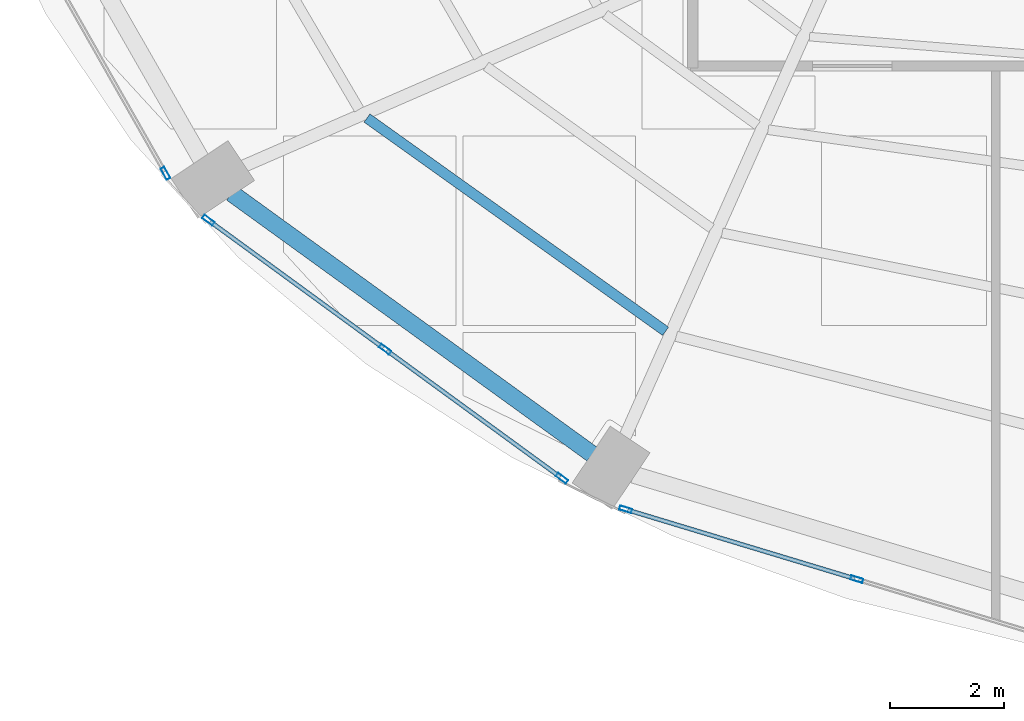
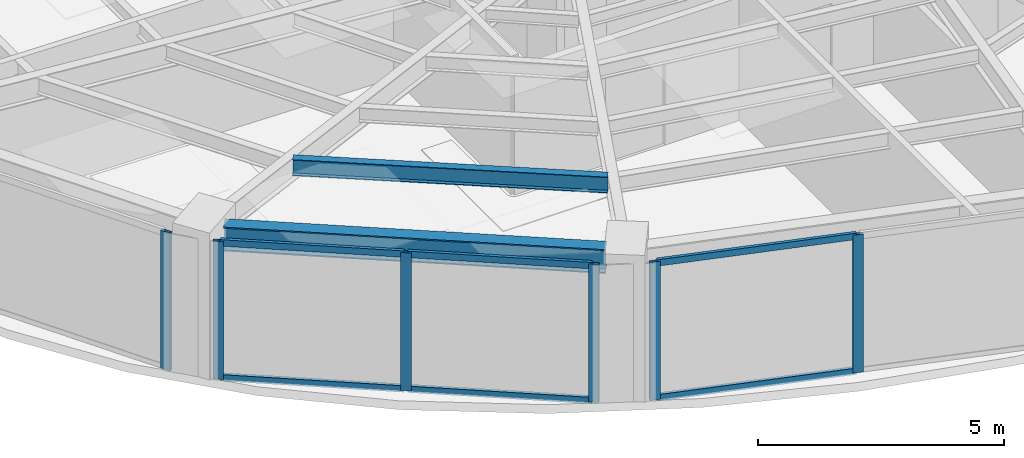
# One storey, part 2 of 24: 12 members, 2 beams, 3 elements without a shape of their own.
"""IFC4 building model written with IfcOpenShell, lengths in metres."""

from ifc_helpers import new_model, si_unit, direction, frame, origin, origin_2d, place, context, subcontext, project, spatial, hollow_rectangle, i_section, extrude, material, layer, layer_set, material_profile, profile_set, type_object, element, aggregate, save


model = new_model("IFC4")

# Units and contexts
model_context = context("Model", 3, precision=1e-05, world=origin(), true_north=direction((0.0, 1.0)))
body_context = subcontext(model_context, "Body", "Model", "MODEL_VIEW")
ifc_project = project(units=[si_unit("LENGTHUNIT", "METRE"), si_unit("AREAUNIT", "SQUARE_METRE"), si_unit("VOLUMEUNIT", "CUBIC_METRE"), si_unit("PLANEANGLEUNIT", "RADIAN"), si_unit("MASSUNIT", "GRAM", prefix="KILO")], contexts=[model_context])

# Site, building, storey
site_placement = place(None, origin())
site = spatial("IfcSite", under=ifc_project, at=site_placement, CompositionType="ELEMENT")
building_placement = place(site_placement, origin())
building = spatial("IfcBuilding", under=site, at=building_placement, Name="Lazwardi Medical Tower", CompositionType="ELEMENT")
storey_placement = place(building_placement, frame((0.0, 0.0, 118.22412109375)))
storey = spatial("IfcBuildingStorey", under=building, at=storey_placement, Name="L30", CompositionType="ELEMENT", Elevation=118.22412109375)

# Beams
ifc_material_1 = material(Name="Steel S355", Category="steel")
ifc_material_profile_1 = material_profile(ifc_material_1, i_section(OverallWidth=0.300048828125, OverallDepth=0.60009765625, WebThickness=0.015380859375, FlangeThickness=0.030029296875, at=origin_2d()), Name="HEB 600")
ifc_profile_set_1 = profile_set([ifc_material_profile_1], Name="Steel S355")
beam_type_1 = type_object("IfcBeamType", Name="BM-RB-Z2", PredefinedType="BEAM", material=ifc_profile_set_1)
beam_1_placement = place(storey_placement, frame((15.25439453125, 15.164794921875, 3.1279296875), z_axis=(0.81005674773, -0.586351486275, 0.0), x_axis=(0.586351486275, 0.81005674773, 0.0)))
element("IfcBeam", 1, at=beam_1_placement, inside=storey, type_object=beam_type_1, Name="Ring beam RB-03 B14 L30", PredefinedType="BEAM", context=body_context, shape_type="SweptSolid", body=[
    extrude(i_section(OverallWidth=0.300048828125, OverallDepth=0.60009765625, WebThickness=0.015380859375, FlangeThickness=0.030029296875, at=origin_2d()), origin(), (0.0, 0.0, 1.0), 7.81396484375),
])
ifc_material_profile_2 = material_profile(ifc_material_1, i_section(OverallWidth=0.179931640625, OverallDepth=0.39990234375, WebThickness=0.008544921875, FlangeThickness=0.013427734375, at=origin_2d()), Name="IPE 400")
ifc_profile_set_2 = profile_set([ifc_material_profile_2], Name="Steel S355")
beam_type_2 = type_object("IfcBeamType", Name="BM-SJ-01", PredefinedType="JOIST", material=ifc_profile_set_2)
beam_2_placement = place(storey_placement, frame((17.630615234375, 16.485595703125, 3.227783203125), z_axis=(0.813748834317, -0.581216684763, 0.0), x_axis=(0.581216684763, 0.813748834317, 0.0)))
element("IfcBeam", 2, at=beam_2_placement, inside=storey, type_object=beam_type_2, Name="Secondary joist SJ-01 R1 B14 L30", PredefinedType="JOIST", context=body_context, shape_type="SweptSolid", body=[
    extrude(i_section(OverallWidth=0.179931640625, OverallDepth=0.39990234375, WebThickness=0.008544921875, FlangeThickness=0.013427734375, at=origin_2d()), origin(), (0.0, 0.0, 1.0), 6.4423828125),
])

# Curtain wall, member
ifc_material_2 = material(Name="Anodised bronze aluminium and solar control glazing", Category="aluminium")
ifc_layer = layer(ifc_material_2, 0.195068359375)
ifc_layer_set = layer_set([ifc_layer], Name="Anodised bronze aluminium and solar control glazing")
curtain_wall_type = type_object("IfcCurtainWallType", Name="CW-SYS-03", PredefinedType="NOTDEFINED", material=ifc_layer_set)
curtain_wall_1_placement = place(storey_placement, origin())
curtain_wall_1 = element("IfcCurtainWall", 3, at=curtain_wall_1_placement, inside=storey, type_object=curtain_wall_type, Name="L30 Unitised bronze curtain wall CW-03", PredefinedType="NOTDEFINED")
ifc_material_3 = material(Name="Anodised bronze aluminium", Category="aluminium")
ifc_material_profile_3 = material_profile(ifc_material_3, hollow_rectangle(XDim=0.074951171875, YDim=0.219970703125, WallThickness=0.00390625, at=origin_2d()), Name="ALU-MULLION 220x75x4")
ifc_profile_set_3 = profile_set([ifc_material_profile_3], Name="Anodised bronze aluminium")
member_type_1 = type_object("IfcMemberType", Name="CW-MUL-01", PredefinedType="MULLION", material=ifc_profile_set_3)
member_1_placement = place(storey_placement, frame((14.0927734375, 15.51416015625, 0.0), z_axis=(0.0, 0.0, 1.0), x_axis=(0.869687265712, 0.493603140041, 0.0)))
member_1 = element("IfcMember", 4, at=member_1_placement, type_object=member_type_1, Name="CW-03 mullion 2", PredefinedType="MULLION", context=body_context, shape_type="SweptSolid", body=[
    extrude(hollow_rectangle(XDim=0.074951171875, YDim=0.219970703125, WallThickness=0.00390625, at=origin_2d()), origin(), (0.0, 0.0, 1.0), 3.427978515625),
])
aggregate(curtain_wall_1, [member_1])

# Curtain wall, members
curtain_wall_2_placement = place(storey_placement, origin())
curtain_wall_2 = element("IfcCurtainWall", 5, at=curtain_wall_2_placement, inside=storey, type_object=curtain_wall_type, Name="L30 Unitised bronze curtain wall CW-03", PredefinedType="NOTDEFINED")
member_2_placement = place(storey_placement, frame((14.844970703125, 14.691162109375, 0.0), z_axis=(0.0, 0.0, 1.0), x_axis=(0.589530882802, 0.807745837639, 0.0)))
member_2 = element("IfcMember", 6, at=member_2_placement, type_object=member_type_1, Name="CW-03 mullion 1", PredefinedType="MULLION", context=body_context, shape_type="SweptSolid", body=[
    extrude(hollow_rectangle(XDim=0.074951171875, YDim=0.219970703125, WallThickness=0.00390625, at=origin_2d()), origin(), (0.0, 0.0, 1.0), 3.427978515625),
])
member_3_placement = place(storey_placement, frame((17.948974609375, 12.42578125, 0.0), z_axis=(0.0, 0.0, 1.0), x_axis=(0.589530882802, 0.807745837639, 0.0)))
member_3 = element("IfcMember", 7, at=member_3_placement, type_object=member_type_1, Name="CW-03 mullion 2", PredefinedType="MULLION", context=body_context, shape_type="SweptSolid", body=[
    extrude(hollow_rectangle(XDim=0.074951171875, YDim=0.219970703125, WallThickness=0.00390625, at=origin_2d()), origin(), (0.0, 0.0, 1.0), 3.427978515625),
])
member_4_placement = place(storey_placement, frame((21.052734375, 10.160400390625, 0.0), z_axis=(0.0, 0.0, 1.0), x_axis=(0.589530882802, 0.807745837639, 0.0)))
member_4 = element("IfcMember", 8, at=member_4_placement, type_object=member_type_1, Name="CW-03 mullion 3", PredefinedType="MULLION", context=body_context, shape_type="SweptSolid", body=[
    extrude(hollow_rectangle(XDim=0.074951171875, YDim=0.219970703125, WallThickness=0.00390625, at=origin_2d()), origin(), (0.0, 0.0, 1.0), 3.427978515625),
])

curtain_wall_3_placement = place(storey_placement, origin())
curtain_wall_3 = element("IfcCurtainWall", 9, at=curtain_wall_3_placement, inside=storey, type_object=curtain_wall_type, Name="L30 Unitised bronze curtain wall CW-03", PredefinedType="NOTDEFINED")
member_5_placement = place(storey_placement, frame((22.171630859375, 9.614013671875, 0.0), z_axis=(0.0, 0.0, 1.0), x_axis=(0.28937381157, 0.957216170558, 0.0)))
member_5 = element("IfcMember", 10, at=member_5_placement, type_object=member_type_1, Name="CW-03 mullion 1", PredefinedType="MULLION", context=body_context, shape_type="SweptSolid", body=[
    extrude(hollow_rectangle(XDim=0.074951171875, YDim=0.219970703125, WallThickness=0.00390625, at=origin_2d()), origin(), (0.0, 0.0, 1.0), 3.427978515625),
])
member_6_placement = place(storey_placement, frame((26.230712890625, 8.386962890625, 0.0), z_axis=(0.0, 0.0, 1.0), x_axis=(0.28937381157, 0.957216170558, 0.0)))
member_6 = element("IfcMember", 11, at=member_6_placement, type_object=member_type_1, Name="CW-03 mullion 2", PredefinedType="MULLION", context=body_context, shape_type="SweptSolid", body=[
    extrude(hollow_rectangle(XDim=0.074951171875, YDim=0.219970703125, WallThickness=0.00390625, at=origin_2d()), origin(), (0.0, 0.0, 1.0), 3.427978515625),
])

# Member
ifc_material_profile_4 = material_profile(ifc_material_3, hollow_rectangle(XDim=0.074951171875, YDim=0.159912109375, WallThickness=0.00390625, at=origin_2d()), Name="ALU-TRANSOM 160x75x4")
ifc_profile_set_4 = profile_set([ifc_material_profile_4], Name="Anodised bronze aluminium")
member_type_2 = type_object("IfcMemberType", Name="CW-TRN-01", PredefinedType="USERDEFINED", material=ifc_profile_set_4)
member_7_placement = place(storey_placement, frame((14.87548828125, 14.6689453125, 0.037353515625), z_axis=(0.807731734271, -0.589550206049, 0.0), x_axis=(0.589550206049, 0.807731734271, 0.0)))
member_7 = element("IfcMember", 12, at=member_7_placement, type_object=member_type_2, Name="CW-03 transom 1.1", ObjectType="TRANSOM", PredefinedType="USERDEFINED", context=body_context, shape_type="SweptSolid", body=[
    extrude(hollow_rectangle(XDim=0.074951171875, YDim=0.159912109375, WallThickness=0.00390625, at=origin_2d()), origin(), (0.0, 0.0, 1.0), 3.767578125),
])

member_8_placement = place(storey_placement, frame((14.87548828125, 14.6689453125, 3.390380859375), z_axis=(0.807731734271, -0.589550206049, 0.0), x_axis=(0.589550206049, 0.807731734271, 0.0)))
member_8 = element("IfcMember", 13, at=member_8_placement, type_object=member_type_2, Name="CW-03 transom 1.2", ObjectType="TRANSOM", PredefinedType="USERDEFINED", context=body_context, shape_type="SweptSolid", body=[
    extrude(hollow_rectangle(XDim=0.074951171875, YDim=0.159912109375, WallThickness=0.00390625, at=origin_2d()), origin(), (0.0, 0.0, 1.0), 3.767578125),
])

member_9_placement = place(storey_placement, frame((17.979248046875, 12.403564453125, 0.037353515625), z_axis=(0.80776259199, -0.58950792614, 0.0), x_axis=(0.58950792614, 0.80776259199, 0.0)))
member_9 = element("IfcMember", 14, at=member_9_placement, type_object=member_type_2, Name="CW-03 transom 2.1", ObjectType="TRANSOM", PredefinedType="USERDEFINED", context=body_context, shape_type="SweptSolid", body=[
    extrude(hollow_rectangle(XDim=0.074951171875, YDim=0.159912109375, WallThickness=0.00390625, at=origin_2d()), origin(), (0.0, 0.0, 1.0), 3.767578125),
])

member_10_placement = place(storey_placement, frame((17.979248046875, 12.403564453125, 3.390380859375), z_axis=(0.80776259199, -0.58950792614, 0.0), x_axis=(0.58950792614, 0.80776259199, 0.0)))
member_10 = element("IfcMember", 15, at=member_10_placement, type_object=member_type_2, Name="CW-03 transom 2.2", ObjectType="TRANSOM", PredefinedType="USERDEFINED", context=body_context, shape_type="SweptSolid", body=[
    extrude(hollow_rectangle(XDim=0.074951171875, YDim=0.159912109375, WallThickness=0.00390625, at=origin_2d()), origin(), (0.0, 0.0, 1.0), 3.767578125),
])

aggregate(curtain_wall_2, [member_2, member_3, member_4, member_7, member_8, member_9, member_10])

member_11_placement = place(storey_placement, frame((22.20751953125, 9.603271484375, 0.037353515625), z_axis=(0.957204630929, -0.289411980623, 0.0), x_axis=(0.289411980623, 0.957204630929, 0.0)))
member_11 = element("IfcMember", 16, at=member_11_placement, type_object=member_type_2, Name="CW-03 transom 1.1", ObjectType="TRANSOM", PredefinedType="USERDEFINED", context=body_context, shape_type="SweptSolid", body=[
    extrude(hollow_rectangle(XDim=0.074951171875, YDim=0.159912109375, WallThickness=0.00390625, at=origin_2d()), origin(), (0.0, 0.0, 1.0), 4.16552734375),
])

member_12_placement = place(storey_placement, frame((22.20751953125, 9.603271484375, 3.390380859375), z_axis=(0.957204630929, -0.289411980623, 0.0), x_axis=(0.289411980623, 0.957204630929, 0.0)))
member_12 = element("IfcMember", 17, at=member_12_placement, type_object=member_type_2, Name="CW-03 transom 1.2", ObjectType="TRANSOM", PredefinedType="USERDEFINED", context=body_context, shape_type="SweptSolid", body=[
    extrude(hollow_rectangle(XDim=0.074951171875, YDim=0.159912109375, WallThickness=0.00390625, at=origin_2d()), origin(), (0.0, 0.0, 1.0), 4.16552734375),
])

aggregate(curtain_wall_3, [member_5, member_6, member_11, member_12])

save(model, "model.ifc")
